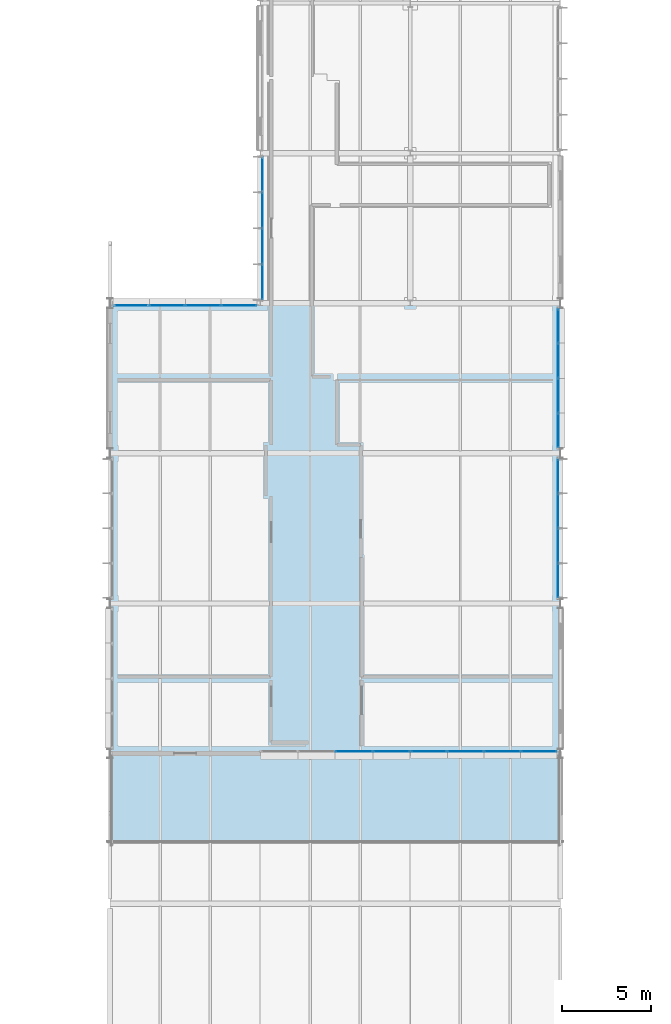
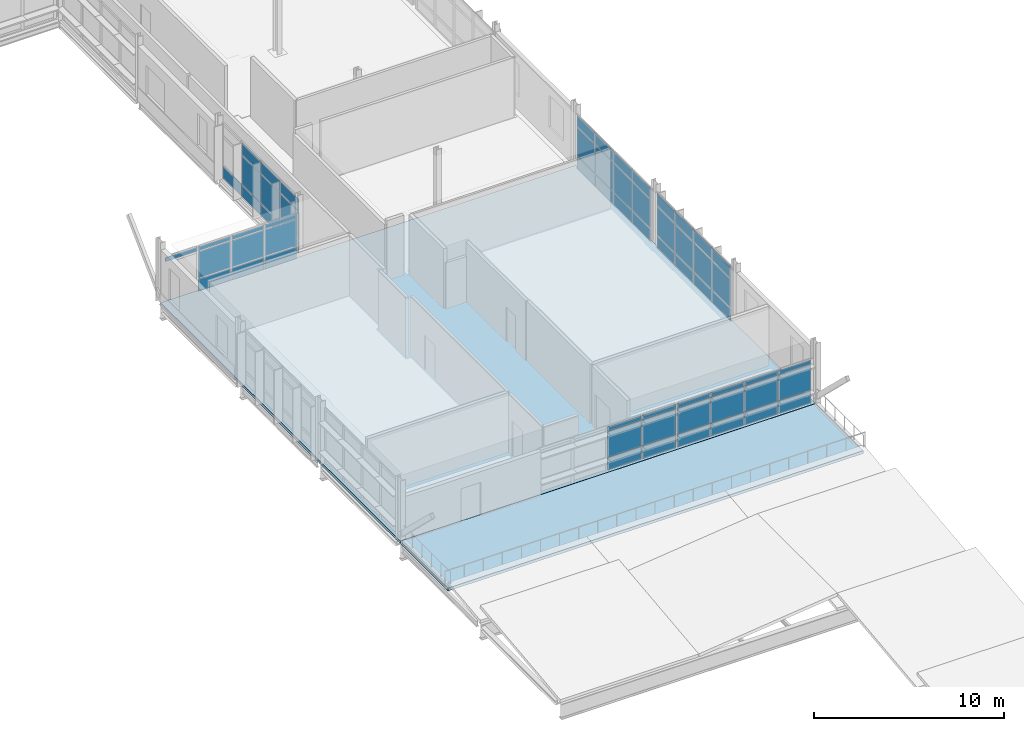
# One storey, part 76 of 103: 62 plates, 2 slabs, 6 elements without a shape of their own.
"""IFC4 building model written with IfcOpenShell, lengths in metres."""

from ifc_helpers import new_model, si_unit, direction, frame, origin, origin_2d, place, context, subcontext, project, spatial, polyline, rectangle, outline, extrude, material, layer, layer_set, type_object, element, aggregate, save


model = new_model("IFC4")

# Units and contexts
model_context = context("Model", 3, precision=1e-05, world=origin(), true_north=direction((0.0, 1.0)))
body_context = subcontext(model_context, "Body", "Model", "MODEL_VIEW")
ifc_project = project(units=[si_unit("LENGTHUNIT", "METRE"), si_unit("AREAUNIT", "SQUARE_METRE"), si_unit("VOLUMEUNIT", "CUBIC_METRE"), si_unit("PLANEANGLEUNIT", "RADIAN"), si_unit("MASSUNIT", "GRAM", prefix="KILO")], contexts=[model_context])

# Site, building, storey
site_placement = place(None, origin())
site = spatial("IfcSite", under=ifc_project, at=site_placement, CompositionType="ELEMENT")
building_placement = place(site_placement, origin())
building = spatial("IfcBuilding", under=site, at=building_placement, Name="Mersafa Astral City Hall", CompositionType="ELEMENT")
storey_placement = place(building_placement, frame((0.0, 0.0, 18.0)))
storey = spatial("IfcBuildingStorey", under=building, at=storey_placement, Name="L04", CompositionType="ELEMENT", Elevation=18.0)

# Curtain wall, plates
ifc_material_1 = material(Name="Anodised bronze aluminium framing", Category="aluminium")
curtain_wall_type_1 = type_object("IfcCurtainWallType", Name="ENV-CW-5", PredefinedType="USERDEFINED", material=ifc_material_1)
curtain_wall_1_placement = place(storey_placement, origin())
curtain_wall_1 = element("IfcCurtainWall", 1, at=curtain_wall_1_placement, inside=storey, type_object=curtain_wall_type_1, Name="L04 Unitised solar curtain wall 208", ObjectType="UNITISED CURTAIN WALL", PredefinedType="USERDEFINED")
ifc_material_2 = material(Name="Solar control low-e double glazing", Category="glass")
ifc_layer_1 = layer(ifc_material_2, 0.028076171875, Name="Solar control low-e double glazing")
ifc_layer_set_1 = layer_set([ifc_layer_1], Name="Solar control low-e double glazing — ENV-CW-PNL-GLZ-1")
plate_type_1 = type_object("IfcPlateType", Name="ENV-CW-PNL-GLZ-1", PredefinedType="CURTAIN_PANEL", material=ifc_layer_set_1)
plate_1_placement = place(storey_placement, frame((100.919921875, 99.613525390625, 0.05810546875), z_axis=(0.0, 0.0, 1.0), x_axis=(0.0, -1.0, 0.0)))
plate_1 = element("IfcPlate", 2, at=plate_1_placement, type_object=plate_type_1, Name="CW-5 panel 1.1", PredefinedType="CURTAIN_PANEL", context=body_context, shape_type="SweptSolid", body=[
    extrude(rectangle(XDim=1.928955078125, YDim=0.028076171875, at=origin_2d()), origin(), (0.0, 0.0, 1.0), 0.761962890625),
])
plate_2_placement = place(storey_placement, frame((100.919921875, 97.609619140625, 0.05810546875), z_axis=(0.0, 0.0, 1.0), x_axis=(0.0, -1.0, 0.0)))
plate_2 = element("IfcPlate", 3, at=plate_2_placement, type_object=plate_type_1, Name="CW-5 panel 2.1", PredefinedType="CURTAIN_PANEL", context=body_context, shape_type="SweptSolid", body=[
    extrude(rectangle(XDim=1.958984375, YDim=0.028076171875, at=origin_2d()), origin(), (0.0, 0.0, 1.0), 0.761962890625),
])
plate_3_placement = place(storey_placement, frame((100.919921875, 97.609619140625, 0.8798828125), z_axis=(0.0, 0.0, 1.0), x_axis=(0.0, -1.0, 0.0)))
plate_3 = element("IfcPlate", 4, at=plate_3_placement, type_object=plate_type_1, Name="CW-5 panel 2.2", PredefinedType="CURTAIN_PANEL", context=body_context, shape_type="SweptSolid", body=[
    extrude(rectangle(XDim=1.958984375, YDim=0.028076171875, at=origin_2d()), origin(), (0.0, 0.0, 1.0), 1.840087890625),
])
plate_4_placement = place(storey_placement, frame((100.919921875, 97.609619140625, 2.77978515625), z_axis=(0.0, 0.0, 1.0), x_axis=(0.0, -1.0, 0.0)))
plate_4 = element("IfcPlate", 5, at=plate_4_placement, type_object=plate_type_1, Name="CW-5 panel 2.3", PredefinedType="CURTAIN_PANEL", context=body_context, shape_type="SweptSolid", body=[
    extrude(rectangle(XDim=1.958984375, YDim=0.028076171875, at=origin_2d()), origin(), (0.0, 0.0, 1.0), 0.737060546875),
])
plate_5_placement = place(storey_placement, frame((100.919921875, 95.590576171875, 0.05810546875), z_axis=(0.0, 0.0, 1.0), x_axis=(0.0, -1.0, 0.0)))
plate_5 = element("IfcPlate", 6, at=plate_5_placement, type_object=plate_type_1, Name="CW-5 panel 3.1", PredefinedType="CURTAIN_PANEL", context=body_context, shape_type="SweptSolid", body=[
    extrude(rectangle(XDim=1.958984375, YDim=0.028076171875, at=origin_2d()), origin(), (0.0, 0.0, 1.0), 0.761962890625),
])
plate_6_placement = place(storey_placement, frame((100.919921875, 95.590576171875, 0.8798828125), z_axis=(0.0, 0.0, 1.0), x_axis=(0.0, -1.0, 0.0)))
plate_6 = element("IfcPlate", 7, at=plate_6_placement, type_object=plate_type_1, Name="CW-5 panel 3.2", PredefinedType="CURTAIN_PANEL", context=body_context, shape_type="SweptSolid", body=[
    extrude(rectangle(XDim=1.958984375, YDim=0.028076171875, at=origin_2d()), origin(), (0.0, 0.0, 1.0), 1.840087890625),
])
plate_7_placement = place(storey_placement, frame((100.919921875, 95.590576171875, 2.77978515625), z_axis=(0.0, 0.0, 1.0), x_axis=(0.0, -1.0, 0.0)))
plate_7 = element("IfcPlate", 8, at=plate_7_placement, type_object=plate_type_1, Name="CW-5 panel 3.3", PredefinedType="CURTAIN_PANEL", context=body_context, shape_type="SweptSolid", body=[
    extrude(rectangle(XDim=1.958984375, YDim=0.028076171875, at=origin_2d()), origin(), (0.0, 0.0, 1.0), 0.737060546875),
])
plate_8_placement = place(storey_placement, frame((100.919921875, 93.58642578125, 0.05810546875), z_axis=(0.0, 0.0, 1.0), x_axis=(0.0, -1.0, 0.0)))
plate_8 = element("IfcPlate", 9, at=plate_8_placement, type_object=plate_type_1, Name="CW-5 panel 4.1", PredefinedType="CURTAIN_PANEL", context=body_context, shape_type="SweptSolid", body=[
    extrude(rectangle(XDim=1.928955078125, YDim=0.028076171875, at=origin_2d()), origin(), (0.0, 0.0, 1.0), 0.761962890625),
])
plate_9_placement = place(storey_placement, frame((100.919921875, 93.58642578125, 0.8798828125), z_axis=(0.0, 0.0, 1.0), x_axis=(0.0, -1.0, 0.0)))
plate_9 = element("IfcPlate", 10, at=plate_9_placement, type_object=plate_type_1, Name="CW-5 panel 4.2", PredefinedType="CURTAIN_PANEL", context=body_context, shape_type="SweptSolid", body=[
    extrude(rectangle(XDim=1.928955078125, YDim=0.028076171875, at=origin_2d()), origin(), (0.0, 0.0, 1.0), 1.840087890625),
])
plate_10_placement = place(storey_placement, frame((100.919921875, 93.58642578125, 2.77978515625), z_axis=(0.0, 0.0, 1.0), x_axis=(0.0, -1.0, 0.0)))
plate_10 = element("IfcPlate", 11, at=plate_10_placement, type_object=plate_type_1, Name="CW-5 panel 4.3", PredefinedType="CURTAIN_PANEL", context=body_context, shape_type="SweptSolid", body=[
    extrude(rectangle(XDim=1.928955078125, YDim=0.028076171875, at=origin_2d()), origin(), (0.0, 0.0, 1.0), 0.737060546875),
])
aggregate(curtain_wall_1, [plate_1, plate_2, plate_3, plate_4, plate_5, plate_6, plate_7, plate_8, plate_9, plate_10])

curtain_wall_type_2 = type_object("IfcCurtainWallType", Name="ENV-CW-3", PredefinedType="USERDEFINED", material=ifc_material_1)
curtain_wall_2_placement = place(storey_placement, origin())
curtain_wall_2 = element("IfcCurtainWall", 12, at=curtain_wall_2_placement, inside=storey, type_object=curtain_wall_type_2, Name="L04 Unitised solar curtain wall 212", ObjectType="UNITISED CURTAIN WALL", PredefinedType="USERDEFINED")
plate_11_placement = place(storey_placement, frame((106.050048828125, 67.320068359375, 0.05810546875), z_axis=(0.0, 0.0, 1.0), x_axis=(1.0, 0.0, 0.0)))
plate_11 = element("IfcPlate", 13, at=plate_11_placement, type_object=plate_type_1, Name="CW-3 panel 3.1", PredefinedType="CURTAIN_PANEL", context=body_context, shape_type="SweptSolid", body=[
    extrude(rectangle(XDim=2.0400390625, YDim=0.028076171875, at=origin_2d()), origin(), (0.0, 0.0, 1.0), 0.761962890625),
])
plate_12_placement = place(storey_placement, frame((106.050048828125, 67.320068359375, 0.880126953125), z_axis=(0.0, 0.0, 1.0), x_axis=(1.0, 0.0, 0.0)))
plate_12 = element("IfcPlate", 14, at=plate_12_placement, type_object=plate_type_1, Name="CW-3 panel 3.2", PredefinedType="CURTAIN_PANEL", context=body_context, shape_type="SweptSolid", body=[
    extrude(rectangle(XDim=2.0400390625, YDim=0.028076171875, at=origin_2d()), origin(), (0.0, 0.0, 1.0), 1.60693359375),
])
plate_13_placement = place(storey_placement, frame((106.050048828125, 67.320068359375, 2.546875), z_axis=(0.0, 0.0, 1.0), x_axis=(1.0, 0.0, 0.0)))
plate_13 = element("IfcPlate", 15, at=plate_13_placement, type_object=plate_type_1, Name="CW-3 panel 3.3", PredefinedType="CURTAIN_PANEL", context=body_context, shape_type="SweptSolid", body=[
    extrude(rectangle(XDim=2.0400390625, YDim=0.028076171875, at=origin_2d()), origin(), (0.0, 0.0, 1.0), 0.260009765625),
])
plate_14_placement = place(storey_placement, frame((108.135009765625, 67.320068359375, 0.05810546875), z_axis=(0.0, 0.0, 1.0), x_axis=(1.0, 0.0, 0.0)))
plate_14 = element("IfcPlate", 16, at=plate_14_placement, type_object=plate_type_1, Name="CW-3 panel 4.1", PredefinedType="CURTAIN_PANEL", context=body_context, shape_type="SweptSolid", body=[
    extrude(rectangle(XDim=2.010009765625, YDim=0.028076171875, at=origin_2d()), origin(), (0.0, 0.0, 1.0), 0.761962890625),
])
plate_15_placement = place(storey_placement, frame((108.135009765625, 67.320068359375, 0.880126953125), z_axis=(0.0, 0.0, 1.0), x_axis=(1.0, 0.0, 0.0)))
plate_15 = element("IfcPlate", 17, at=plate_15_placement, type_object=plate_type_1, Name="CW-3 panel 4.2", PredefinedType="CURTAIN_PANEL", context=body_context, shape_type="SweptSolid", body=[
    extrude(rectangle(XDim=2.010009765625, YDim=0.028076171875, at=origin_2d()), origin(), (0.0, 0.0, 1.0), 1.60693359375),
])
plate_16_placement = place(storey_placement, frame((108.135009765625, 67.320068359375, 2.546875), z_axis=(0.0, 0.0, 1.0), x_axis=(1.0, 0.0, 0.0)))
plate_16 = element("IfcPlate", 18, at=plate_16_placement, type_object=plate_type_1, Name="CW-3 panel 4.3", PredefinedType="CURTAIN_PANEL", context=body_context, shape_type="SweptSolid", body=[
    extrude(rectangle(XDim=2.010009765625, YDim=0.028076171875, at=origin_2d()), origin(), (0.0, 0.0, 1.0), 0.260009765625),
])
aggregate(curtain_wall_2, [plate_11, plate_12, plate_13, plate_14, plate_15, plate_16])

curtain_wall_type_3 = type_object("IfcCurtainWallType", Name="ENV-CW-6", PredefinedType="USERDEFINED", material=ifc_material_1)
curtain_wall_3_placement = place(storey_placement, origin())
curtain_wall_3 = element("IfcCurtainWall", 19, at=curtain_wall_3_placement, inside=storey, type_object=curtain_wall_type_3, Name="L04 Unitised solar curtain wall 209", ObjectType="UNITISED CURTAIN WALL", PredefinedType="USERDEFINED")
ifc_layer_2 = layer(ifc_material_2, 0.031982421875, Name="Solar control low-e double glazing")
ifc_layer_set_2 = layer_set([ifc_layer_2], Name="Solar control low-e double glazing — ENV-CW-PNL-GLZ-2")
plate_type_2 = type_object("IfcPlateType", Name="ENV-CW-PNL-GLZ-2", PredefinedType="CURTAIN_PANEL", material=ifc_layer_set_2)
plate_17_placement = place(storey_placement, frame((99.613525390625, 92.280029296875, 0.05810546875), z_axis=(0.0, 0.0, 1.0), x_axis=(-1.0, 0.0, 0.0)))
plate_17 = element("IfcPlate", 20, at=plate_17_placement, type_object=plate_type_2, Name="CW-6 panel 1.1", PredefinedType="CURTAIN_PANEL", context=body_context, shape_type="SweptSolid", body=[
    extrude(rectangle(XDim=1.928955078125, YDim=0.031982421875, at=origin_2d()), origin(), (0.0, 0.0, 1.0), 0.761962890625),
])
plate_18_placement = place(storey_placement, frame((99.613525390625, 92.280029296875, 0.8798828125), z_axis=(0.0, 0.0, 1.0), x_axis=(-1.0, 0.0, 0.0)))
plate_18 = element("IfcPlate", 21, at=plate_18_placement, type_object=plate_type_2, Name="CW-6 panel 1.2", PredefinedType="CURTAIN_PANEL", context=body_context, shape_type="SweptSolid", body=[
    extrude(rectangle(XDim=1.928955078125, YDim=0.031982421875, at=origin_2d()), origin(), (0.0, 0.0, 1.0), 1.68701171875),
])
plate_19_placement = place(storey_placement, frame((99.613525390625, 92.280029296875, 2.626953125), z_axis=(0.0, 0.0, 1.0), x_axis=(-1.0, 0.0, 0.0)))
plate_19 = element("IfcPlate", 22, at=plate_19_placement, type_object=plate_type_2, Name="CW-6 panel 1.3", PredefinedType="CURTAIN_PANEL", context=body_context, shape_type="SweptSolid", body=[
    extrude(rectangle(XDim=1.928955078125, YDim=0.031982421875, at=origin_2d()), origin(), (0.0, 0.0, 1.0), 0.260009765625),
])
plate_20_placement = place(storey_placement, frame((97.609619140625, 92.280029296875, 0.05810546875), z_axis=(0.0, 0.0, 1.0), x_axis=(-1.0, 0.0, 0.0)))
plate_20 = element("IfcPlate", 23, at=plate_20_placement, type_object=plate_type_2, Name="CW-6 panel 2.1", PredefinedType="CURTAIN_PANEL", context=body_context, shape_type="SweptSolid", body=[
    extrude(rectangle(XDim=1.958984375, YDim=0.031982421875, at=origin_2d()), origin(), (0.0, 0.0, 1.0), 0.761962890625),
])
plate_21_placement = place(storey_placement, frame((97.609619140625, 92.280029296875, 0.8798828125), z_axis=(0.0, 0.0, 1.0), x_axis=(-1.0, 0.0, 0.0)))
plate_21 = element("IfcPlate", 24, at=plate_21_placement, type_object=plate_type_2, Name="CW-6 panel 2.2", PredefinedType="CURTAIN_PANEL", context=body_context, shape_type="SweptSolid", body=[
    extrude(rectangle(XDim=1.958984375, YDim=0.031982421875, at=origin_2d()), origin(), (0.0, 0.0, 1.0), 1.68701171875),
])
plate_22_placement = place(storey_placement, frame((97.609619140625, 92.280029296875, 2.626953125), z_axis=(0.0, 0.0, 1.0), x_axis=(-1.0, 0.0, 0.0)))
plate_22 = element("IfcPlate", 25, at=plate_22_placement, type_object=plate_type_2, Name="CW-6 panel 2.3", PredefinedType="CURTAIN_PANEL", context=body_context, shape_type="SweptSolid", body=[
    extrude(rectangle(XDim=1.958984375, YDim=0.031982421875, at=origin_2d()), origin(), (0.0, 0.0, 1.0), 0.260009765625),
])
plate_23_placement = place(storey_placement, frame((95.590576171875, 92.280029296875, 0.05810546875), z_axis=(0.0, 0.0, 1.0), x_axis=(-1.0, 0.0, 0.0)))
plate_23 = element("IfcPlate", 26, at=plate_23_placement, type_object=plate_type_2, Name="CW-6 panel 3.1", PredefinedType="CURTAIN_PANEL", context=body_context, shape_type="SweptSolid", body=[
    extrude(rectangle(XDim=1.958984375, YDim=0.031982421875, at=origin_2d()), origin(), (0.0, 0.0, 1.0), 0.761962890625),
])
plate_24_placement = place(storey_placement, frame((95.590576171875, 92.280029296875, 0.8798828125), z_axis=(0.0, 0.0, 1.0), x_axis=(-1.0, 0.0, 0.0)))
plate_24 = element("IfcPlate", 27, at=plate_24_placement, type_object=plate_type_2, Name="CW-6 panel 3.2", PredefinedType="CURTAIN_PANEL", context=body_context, shape_type="SweptSolid", body=[
    extrude(rectangle(XDim=1.958984375, YDim=0.031982421875, at=origin_2d()), origin(), (0.0, 0.0, 1.0), 1.68701171875),
])
plate_25_placement = place(storey_placement, frame((95.590576171875, 92.280029296875, 2.626953125), z_axis=(0.0, 0.0, 1.0), x_axis=(-1.0, 0.0, 0.0)))
plate_25 = element("IfcPlate", 28, at=plate_25_placement, type_object=plate_type_2, Name="CW-6 panel 3.3", PredefinedType="CURTAIN_PANEL", context=body_context, shape_type="SweptSolid", body=[
    extrude(rectangle(XDim=1.958984375, YDim=0.031982421875, at=origin_2d()), origin(), (0.0, 0.0, 1.0), 0.260009765625),
])
plate_26_placement = place(storey_placement, frame((93.58642578125, 92.280029296875, 2.626953125), z_axis=(0.0, 0.0, 1.0), x_axis=(-1.0, 0.0, 0.0)))
plate_26 = element("IfcPlate", 29, at=plate_26_placement, type_object=plate_type_2, Name="CW-6 panel 4.3", PredefinedType="CURTAIN_PANEL", context=body_context, shape_type="SweptSolid", body=[
    extrude(rectangle(XDim=1.928955078125, YDim=0.031982421875, at=origin_2d()), origin(), (0.0, 0.0, 1.0), 0.260009765625),
])
aggregate(curtain_wall_3, [plate_17, plate_18, plate_19, plate_20, plate_21, plate_22, plate_23, plate_24, plate_25, plate_26])

curtain_wall_type_4 = type_object("IfcCurtainWallType", Name="ENV-CW-4", PredefinedType="USERDEFINED", material=ifc_material_1)
curtain_wall_4_placement = place(storey_placement, origin())
curtain_wall_4 = element("IfcCurtainWall", 30, at=curtain_wall_4_placement, inside=storey, type_object=curtain_wall_type_4, Name="L04 Unitised solar curtain wall 213", ObjectType="UNITISED CURTAIN WALL", PredefinedType="USERDEFINED")
plate_27_placement = place(storey_placement, frame((110.24462890625, 67.320068359375, 0.05810546875), z_axis=(0.0, 0.0, 1.0), x_axis=(1.0, 0.0, 0.0)))
plate_27 = element("IfcPlate", 31, at=plate_27_placement, type_object=plate_type_2, Name="CW-4 panel 1.1", PredefinedType="CURTAIN_PANEL", context=body_context, shape_type="SweptSolid", body=[
    extrude(rectangle(XDim=1.969482421875, YDim=0.031982421875, at=origin_2d()), origin(), (0.0, 0.0, 1.0), 0.761962890625),
])
plate_28_placement = place(storey_placement, frame((110.24462890625, 67.320068359375, 0.880126953125), z_axis=(0.0, 0.0, 1.0), x_axis=(1.0, 0.0, 0.0)))
plate_28 = element("IfcPlate", 32, at=plate_28_placement, type_object=plate_type_2, Name="CW-4 panel 1.2", PredefinedType="CURTAIN_PANEL", context=body_context, shape_type="SweptSolid", body=[
    extrude(rectangle(XDim=1.969482421875, YDim=0.031982421875, at=origin_2d()), origin(), (0.0, 0.0, 1.0), 1.60693359375),
])
plate_29_placement = place(storey_placement, frame((110.24462890625, 67.320068359375, 2.546875), z_axis=(0.0, 0.0, 1.0), x_axis=(1.0, 0.0, 0.0)))
plate_29 = element("IfcPlate", 33, at=plate_29_placement, type_object=plate_type_2, Name="CW-4 panel 1.3", PredefinedType="CURTAIN_PANEL", context=body_context, shape_type="SweptSolid", body=[
    extrude(rectangle(XDim=1.969482421875, YDim=0.031982421875, at=origin_2d()), origin(), (0.0, 0.0, 1.0), 0.260009765625),
])
plate_30_placement = place(storey_placement, frame((112.289306640625, 67.320068359375, 0.05810546875), z_axis=(0.0, 0.0, 1.0), x_axis=(1.0, 0.0, 0.0)))
plate_30 = element("IfcPlate", 34, at=plate_30_placement, type_object=plate_type_2, Name="CW-4 panel 2.1", PredefinedType="CURTAIN_PANEL", context=body_context, shape_type="SweptSolid", body=[
    extrude(rectangle(XDim=1.99951171875, YDim=0.031982421875, at=origin_2d()), origin(), (0.0, 0.0, 1.0), 0.761962890625),
])
plate_31_placement = place(storey_placement, frame((112.289306640625, 67.320068359375, 0.880126953125), z_axis=(0.0, 0.0, 1.0), x_axis=(1.0, 0.0, 0.0)))
plate_31 = element("IfcPlate", 35, at=plate_31_placement, type_object=plate_type_2, Name="CW-4 panel 2.2", PredefinedType="CURTAIN_PANEL", context=body_context, shape_type="SweptSolid", body=[
    extrude(rectangle(XDim=1.99951171875, YDim=0.031982421875, at=origin_2d()), origin(), (0.0, 0.0, 1.0), 1.60693359375),
])
plate_32_placement = place(storey_placement, frame((112.289306640625, 67.320068359375, 2.546875), z_axis=(0.0, 0.0, 1.0), x_axis=(1.0, 0.0, 0.0)))
plate_32 = element("IfcPlate", 36, at=plate_32_placement, type_object=plate_type_2, Name="CW-4 panel 2.3", PredefinedType="CURTAIN_PANEL", context=body_context, shape_type="SweptSolid", body=[
    extrude(rectangle(XDim=1.99951171875, YDim=0.031982421875, at=origin_2d()), origin(), (0.0, 0.0, 1.0), 0.260009765625),
])
plate_33_placement = place(storey_placement, frame((114.3486328125, 67.320068359375, 0.05810546875), z_axis=(0.0, 0.0, 1.0), x_axis=(1.0, 0.0, 0.0)))
plate_33 = element("IfcPlate", 37, at=plate_33_placement, type_object=plate_type_2, Name="CW-4 panel 3.1", PredefinedType="CURTAIN_PANEL", context=body_context, shape_type="SweptSolid", body=[
    extrude(rectangle(XDim=1.99951171875, YDim=0.031982421875, at=origin_2d()), origin(), (0.0, 0.0, 1.0), 0.761962890625),
])
plate_34_placement = place(storey_placement, frame((114.3486328125, 67.320068359375, 0.880126953125), z_axis=(0.0, 0.0, 1.0), x_axis=(1.0, 0.0, 0.0)))
plate_34 = element("IfcPlate", 38, at=plate_34_placement, type_object=plate_type_2, Name="CW-4 panel 3.2", PredefinedType="CURTAIN_PANEL", context=body_context, shape_type="SweptSolid", body=[
    extrude(rectangle(XDim=1.99951171875, YDim=0.031982421875, at=origin_2d()), origin(), (0.0, 0.0, 1.0), 1.60693359375),
])
plate_35_placement = place(storey_placement, frame((114.3486328125, 67.320068359375, 2.546875), z_axis=(0.0, 0.0, 1.0), x_axis=(1.0, 0.0, 0.0)))
plate_35 = element("IfcPlate", 39, at=plate_35_placement, type_object=plate_type_2, Name="CW-4 panel 3.3", PredefinedType="CURTAIN_PANEL", context=body_context, shape_type="SweptSolid", body=[
    extrude(rectangle(XDim=1.99951171875, YDim=0.031982421875, at=origin_2d()), origin(), (0.0, 0.0, 1.0), 0.260009765625),
])
plate_36_placement = place(storey_placement, frame((116.393310546875, 67.320068359375, 0.05810546875), z_axis=(0.0, 0.0, 1.0), x_axis=(1.0, 0.0, 0.0)))
plate_36 = element("IfcPlate", 40, at=plate_36_placement, type_object=plate_type_2, Name="CW-4 panel 4.1", PredefinedType="CURTAIN_PANEL", context=body_context, shape_type="SweptSolid", body=[
    extrude(rectangle(XDim=1.969482421875, YDim=0.031982421875, at=origin_2d()), origin(), (0.0, 0.0, 1.0), 0.761962890625),
])
plate_37_placement = place(storey_placement, frame((116.393310546875, 67.320068359375, 0.880126953125), z_axis=(0.0, 0.0, 1.0), x_axis=(1.0, 0.0, 0.0)))
plate_37 = element("IfcPlate", 41, at=plate_37_placement, type_object=plate_type_2, Name="CW-4 panel 4.2", PredefinedType="CURTAIN_PANEL", context=body_context, shape_type="SweptSolid", body=[
    extrude(rectangle(XDim=1.969482421875, YDim=0.031982421875, at=origin_2d()), origin(), (0.0, 0.0, 1.0), 1.60693359375),
])
plate_38_placement = place(storey_placement, frame((116.393310546875, 67.320068359375, 2.546875), z_axis=(0.0, 0.0, 1.0), x_axis=(1.0, 0.0, 0.0)))
plate_38 = element("IfcPlate", 42, at=plate_38_placement, type_object=plate_type_2, Name="CW-4 panel 4.3", PredefinedType="CURTAIN_PANEL", context=body_context, shape_type="SweptSolid", body=[
    extrude(rectangle(XDim=1.969482421875, YDim=0.031982421875, at=origin_2d()), origin(), (0.0, 0.0, 1.0), 0.260009765625),
])
aggregate(curtain_wall_4, [plate_27, plate_28, plate_29, plate_30, plate_31, plate_32, plate_33, plate_34, plate_35, plate_36, plate_37, plate_38])

curtain_wall_5_placement = place(storey_placement, origin())
curtain_wall_5 = element("IfcCurtainWall", 43, at=curtain_wall_5_placement, inside=storey, type_object=curtain_wall_type_1, Name="L04 Unitised solar curtain wall 214", ObjectType="UNITISED CURTAIN WALL", PredefinedType="USERDEFINED")
ifc_layer_3 = layer(ifc_material_2, 0.035888671875, Name="Solar control low-e double glazing")
ifc_layer_set_3 = layer_set([ifc_layer_3], Name="Solar control low-e double glazing — ENV-CW-PNL-GLZ-3")
plate_type_3 = type_object("IfcPlateType", Name="ENV-CW-PNL-GLZ-3", PredefinedType="CURTAIN_PANEL", material=ifc_layer_set_3)
plate_39_placement = place(storey_placement, frame((117.47998046875, 76.88037109375, 0.05810546875), z_axis=(0.0, 0.0, 1.0), x_axis=(0.0, 1.0, 0.0)))
plate_39 = element("IfcPlate", 44, at=plate_39_placement, type_object=plate_type_3, Name="CW-5 panel 1.1", PredefinedType="CURTAIN_PANEL", context=body_context, shape_type="SweptSolid", body=[
    extrude(rectangle(XDim=1.866455078125, YDim=0.035888671875, at=origin_2d()), origin(), (0.0, 0.0, 1.0), 0.761962890625),
])
plate_40_placement = place(storey_placement, frame((117.47998046875, 76.88037109375, 0.8798828125), z_axis=(0.0, 0.0, 1.0), x_axis=(0.0, 1.0, 0.0)))
plate_40 = element("IfcPlate", 45, at=plate_40_placement, type_object=plate_type_3, Name="CW-5 panel 1.2", PredefinedType="CURTAIN_PANEL", context=body_context, shape_type="SweptSolid", body=[
    extrude(rectangle(XDim=1.866455078125, YDim=0.035888671875, at=origin_2d()), origin(), (0.0, 0.0, 1.0), 1.840087890625),
])
plate_41_placement = place(storey_placement, frame((117.47998046875, 76.88037109375, 2.77978515625), z_axis=(0.0, 0.0, 1.0), x_axis=(0.0, 1.0, 0.0)))
plate_41 = element("IfcPlate", 46, at=plate_41_placement, type_object=plate_type_3, Name="CW-5 panel 1.3", PredefinedType="CURTAIN_PANEL", context=body_context, shape_type="SweptSolid", body=[
    extrude(rectangle(XDim=1.866455078125, YDim=0.035888671875, at=origin_2d()), origin(), (0.0, 0.0, 1.0), 0.757080078125),
])
plate_42_placement = place(storey_placement, frame((117.47998046875, 78.82177734375, 0.05810546875), z_axis=(0.0, 0.0, 1.0), x_axis=(0.0, 1.0, 0.0)))
plate_42 = element("IfcPlate", 47, at=plate_42_placement, type_object=plate_type_3, Name="CW-5 panel 2.1", PredefinedType="CURTAIN_PANEL", context=body_context, shape_type="SweptSolid", body=[
    extrude(rectangle(XDim=1.896484375, YDim=0.035888671875, at=origin_2d()), origin(), (0.0, 0.0, 1.0), 0.761962890625),
])
plate_43_placement = place(storey_placement, frame((117.47998046875, 78.82177734375, 0.8798828125), z_axis=(0.0, 0.0, 1.0), x_axis=(0.0, 1.0, 0.0)))
plate_43 = element("IfcPlate", 48, at=plate_43_placement, type_object=plate_type_3, Name="CW-5 panel 2.2", PredefinedType="CURTAIN_PANEL", context=body_context, shape_type="SweptSolid", body=[
    extrude(rectangle(XDim=1.896484375, YDim=0.035888671875, at=origin_2d()), origin(), (0.0, 0.0, 1.0), 1.840087890625),
])
plate_44_placement = place(storey_placement, frame((117.47998046875, 78.82177734375, 2.77978515625), z_axis=(0.0, 0.0, 1.0), x_axis=(0.0, 1.0, 0.0)))
plate_44 = element("IfcPlate", 49, at=plate_44_placement, type_object=plate_type_3, Name="CW-5 panel 2.3", PredefinedType="CURTAIN_PANEL", context=body_context, shape_type="SweptSolid", body=[
    extrude(rectangle(XDim=1.896484375, YDim=0.035888671875, at=origin_2d()), origin(), (0.0, 0.0, 1.0), 0.757080078125),
])
plate_45_placement = place(storey_placement, frame((117.47998046875, 80.7783203125, 0.05810546875), z_axis=(0.0, 0.0, 1.0), x_axis=(0.0, 1.0, 0.0)))
plate_45 = element("IfcPlate", 50, at=plate_45_placement, type_object=plate_type_3, Name="CW-5 panel 3.1", PredefinedType="CURTAIN_PANEL", context=body_context, shape_type="SweptSolid", body=[
    extrude(rectangle(XDim=1.896484375, YDim=0.035888671875, at=origin_2d()), origin(), (0.0, 0.0, 1.0), 0.761962890625),
])
plate_46_placement = place(storey_placement, frame((117.47998046875, 80.7783203125, 0.8798828125), z_axis=(0.0, 0.0, 1.0), x_axis=(0.0, 1.0, 0.0)))
plate_46 = element("IfcPlate", 51, at=plate_46_placement, type_object=plate_type_3, Name="CW-5 panel 3.2", PredefinedType="CURTAIN_PANEL", context=body_context, shape_type="SweptSolid", body=[
    extrude(rectangle(XDim=1.896484375, YDim=0.035888671875, at=origin_2d()), origin(), (0.0, 0.0, 1.0), 1.840087890625),
])
plate_47_placement = place(storey_placement, frame((117.47998046875, 80.7783203125, 2.77978515625), z_axis=(0.0, 0.0, 1.0), x_axis=(0.0, 1.0, 0.0)))
plate_47 = element("IfcPlate", 52, at=plate_47_placement, type_object=plate_type_3, Name="CW-5 panel 3.3", PredefinedType="CURTAIN_PANEL", context=body_context, shape_type="SweptSolid", body=[
    extrude(rectangle(XDim=1.896484375, YDim=0.035888671875, at=origin_2d()), origin(), (0.0, 0.0, 1.0), 0.757080078125),
])
plate_48_placement = place(storey_placement, frame((117.47998046875, 82.7197265625, 0.05810546875), z_axis=(0.0, 0.0, 1.0), x_axis=(0.0, 1.0, 0.0)))
plate_48 = element("IfcPlate", 53, at=plate_48_placement, type_object=plate_type_3, Name="CW-5 panel 4.1", PredefinedType="CURTAIN_PANEL", context=body_context, shape_type="SweptSolid", body=[
    extrude(rectangle(XDim=1.866455078125, YDim=0.035888671875, at=origin_2d()), origin(), (0.0, 0.0, 1.0), 0.761962890625),
])
plate_49_placement = place(storey_placement, frame((117.47998046875, 82.7197265625, 0.8798828125), z_axis=(0.0, 0.0, 1.0), x_axis=(0.0, 1.0, 0.0)))
plate_49 = element("IfcPlate", 54, at=plate_49_placement, type_object=plate_type_3, Name="CW-5 panel 4.2", PredefinedType="CURTAIN_PANEL", context=body_context, shape_type="SweptSolid", body=[
    extrude(rectangle(XDim=1.866455078125, YDim=0.035888671875, at=origin_2d()), origin(), (0.0, 0.0, 1.0), 1.840087890625),
])
plate_50_placement = place(storey_placement, frame((117.47998046875, 82.7197265625, 2.77978515625), z_axis=(0.0, 0.0, 1.0), x_axis=(0.0, 1.0, 0.0)))
plate_50 = element("IfcPlate", 55, at=plate_50_placement, type_object=plate_type_3, Name="CW-5 panel 4.3", PredefinedType="CURTAIN_PANEL", context=body_context, shape_type="SweptSolid", body=[
    extrude(rectangle(XDim=1.866455078125, YDim=0.035888671875, at=origin_2d()), origin(), (0.0, 0.0, 1.0), 0.757080078125),
])
aggregate(curtain_wall_5, [plate_39, plate_40, plate_41, plate_42, plate_43, plate_44, plate_45, plate_46, plate_47, plate_48, plate_49, plate_50])

curtain_wall_6_placement = place(storey_placement, origin())
curtain_wall_6 = element("IfcCurtainWall", 56, at=curtain_wall_6_placement, inside=storey, type_object=curtain_wall_type_3, Name="L04 Unitised solar curtain wall 215", ObjectType="UNITISED CURTAIN WALL", PredefinedType="USERDEFINED")
ifc_layer_4 = layer(ifc_material_2, 0.0400390625, Name="Solar control low-e double glazing")
ifc_layer_set_4 = layer_set([ifc_layer_4], Name="Solar control low-e double glazing — ENV-CW-PNL-GLZ-4")
plate_type_4 = type_object("IfcPlateType", Name="ENV-CW-PNL-GLZ-4", PredefinedType="CURTAIN_PANEL", material=ifc_layer_set_4)
plate_51_placement = place(storey_placement, frame((117.47998046875, 85.2802734375, 0.05810546875), z_axis=(0.0, 0.0, 1.0), x_axis=(0.0, 1.0, 0.0)))
plate_51 = element("IfcPlate", 57, at=plate_51_placement, type_object=plate_type_4, Name="CW-6 panel 1.1", PredefinedType="CURTAIN_PANEL", context=body_context, shape_type="SweptSolid", body=[
    extrude(rectangle(XDim=1.866455078125, YDim=0.0400390625, at=origin_2d()), origin(), (0.0, 0.0, 1.0), 0.761962890625),
])
plate_52_placement = place(storey_placement, frame((117.47998046875, 85.2802734375, 0.8798828125), z_axis=(0.0, 0.0, 1.0), x_axis=(0.0, 1.0, 0.0)))
plate_52 = element("IfcPlate", 58, at=plate_52_placement, type_object=plate_type_4, Name="CW-6 panel 1.2", PredefinedType="CURTAIN_PANEL", context=body_context, shape_type="SweptSolid", body=[
    extrude(rectangle(XDim=1.866455078125, YDim=0.0400390625, at=origin_2d()), origin(), (0.0, 0.0, 1.0), 1.840087890625),
])
plate_53_placement = place(storey_placement, frame((117.47998046875, 85.2802734375, 2.780029296875), z_axis=(0.0, 0.0, 1.0), x_axis=(0.0, 1.0, 0.0)))
plate_53 = element("IfcPlate", 59, at=plate_53_placement, type_object=plate_type_4, Name="CW-6 panel 1.3", PredefinedType="CURTAIN_PANEL", context=body_context, shape_type="SweptSolid", body=[
    extrude(rectangle(XDim=1.866455078125, YDim=0.0400390625, at=origin_2d()), origin(), (0.0, 0.0, 1.0), 0.6669921875),
])
plate_54_placement = place(storey_placement, frame((117.47998046875, 87.2216796875, 0.05810546875), z_axis=(0.0, 0.0, 1.0), x_axis=(0.0, 1.0, 0.0)))
plate_54 = element("IfcPlate", 60, at=plate_54_placement, type_object=plate_type_4, Name="CW-6 panel 2.1", PredefinedType="CURTAIN_PANEL", context=body_context, shape_type="SweptSolid", body=[
    extrude(rectangle(XDim=1.896484375, YDim=0.0400390625, at=origin_2d()), origin(), (0.0, 0.0, 1.0), 0.761962890625),
])
plate_55_placement = place(storey_placement, frame((117.47998046875, 87.2216796875, 0.8798828125), z_axis=(0.0, 0.0, 1.0), x_axis=(0.0, 1.0, 0.0)))
plate_55 = element("IfcPlate", 61, at=plate_55_placement, type_object=plate_type_4, Name="CW-6 panel 2.2", PredefinedType="CURTAIN_PANEL", context=body_context, shape_type="SweptSolid", body=[
    extrude(rectangle(XDim=1.896484375, YDim=0.0400390625, at=origin_2d()), origin(), (0.0, 0.0, 1.0), 1.840087890625),
])
plate_56_placement = place(storey_placement, frame((117.47998046875, 87.2216796875, 2.780029296875), z_axis=(0.0, 0.0, 1.0), x_axis=(0.0, 1.0, 0.0)))
plate_56 = element("IfcPlate", 62, at=plate_56_placement, type_object=plate_type_4, Name="CW-6 panel 2.3", PredefinedType="CURTAIN_PANEL", context=body_context, shape_type="SweptSolid", body=[
    extrude(rectangle(XDim=1.896484375, YDim=0.0400390625, at=origin_2d()), origin(), (0.0, 0.0, 1.0), 0.6669921875),
])
plate_57_placement = place(storey_placement, frame((117.47998046875, 89.17822265625, 0.05810546875), z_axis=(0.0, 0.0, 1.0), x_axis=(0.0, 1.0, 0.0)))
plate_57 = element("IfcPlate", 63, at=plate_57_placement, type_object=plate_type_4, Name="CW-6 panel 3.1", PredefinedType="CURTAIN_PANEL", context=body_context, shape_type="SweptSolid", body=[
    extrude(rectangle(XDim=1.896484375, YDim=0.0400390625, at=origin_2d()), origin(), (0.0, 0.0, 1.0), 0.761962890625),
])
plate_58_placement = place(storey_placement, frame((117.47998046875, 89.17822265625, 0.8798828125), z_axis=(0.0, 0.0, 1.0), x_axis=(0.0, 1.0, 0.0)))
plate_58 = element("IfcPlate", 64, at=plate_58_placement, type_object=plate_type_4, Name="CW-6 panel 3.2", PredefinedType="CURTAIN_PANEL", context=body_context, shape_type="SweptSolid", body=[
    extrude(rectangle(XDim=1.896484375, YDim=0.0400390625, at=origin_2d()), origin(), (0.0, 0.0, 1.0), 1.840087890625),
])
plate_59_placement = place(storey_placement, frame((117.47998046875, 89.17822265625, 2.780029296875), z_axis=(0.0, 0.0, 1.0), x_axis=(0.0, 1.0, 0.0)))
plate_59 = element("IfcPlate", 65, at=plate_59_placement, type_object=plate_type_4, Name="CW-6 panel 3.3", PredefinedType="CURTAIN_PANEL", context=body_context, shape_type="SweptSolid", body=[
    extrude(rectangle(XDim=1.896484375, YDim=0.0400390625, at=origin_2d()), origin(), (0.0, 0.0, 1.0), 0.6669921875),
])
plate_60_placement = place(storey_placement, frame((117.47998046875, 91.11962890625, 0.05810546875), z_axis=(0.0, 0.0, 1.0), x_axis=(0.0, 1.0, 0.0)))
plate_60 = element("IfcPlate", 66, at=plate_60_placement, type_object=plate_type_4, Name="CW-6 panel 4.1", PredefinedType="CURTAIN_PANEL", context=body_context, shape_type="SweptSolid", body=[
    extrude(rectangle(XDim=1.866455078125, YDim=0.0400390625, at=origin_2d()), origin(), (0.0, 0.0, 1.0), 0.761962890625),
])
plate_61_placement = place(storey_placement, frame((117.47998046875, 91.11962890625, 0.8798828125), z_axis=(0.0, 0.0, 1.0), x_axis=(0.0, 1.0, 0.0)))
plate_61 = element("IfcPlate", 67, at=plate_61_placement, type_object=plate_type_4, Name="CW-6 panel 4.2", PredefinedType="CURTAIN_PANEL", context=body_context, shape_type="SweptSolid", body=[
    extrude(rectangle(XDim=1.866455078125, YDim=0.0400390625, at=origin_2d()), origin(), (0.0, 0.0, 1.0), 1.840087890625),
])
plate_62_placement = place(storey_placement, frame((117.47998046875, 91.11962890625, 2.780029296875), z_axis=(0.0, 0.0, 1.0), x_axis=(0.0, 1.0, 0.0)))
plate_62 = element("IfcPlate", 68, at=plate_62_placement, type_object=plate_type_4, Name="CW-6 panel 4.3", PredefinedType="CURTAIN_PANEL", context=body_context, shape_type="SweptSolid", body=[
    extrude(rectangle(XDim=1.866455078125, YDim=0.0400390625, at=origin_2d()), origin(), (0.0, 0.0, 1.0), 0.6669921875),
])
aggregate(curtain_wall_6, [plate_51, plate_52, plate_53, plate_54, plate_55, plate_56, plate_57, plate_58, plate_59, plate_60, plate_61, plate_62])

# Slabs
ifc_material_3 = material(Name="Concrete C35/45", Category="concrete")
ifc_layer_5 = layer(ifc_material_3, 0.18505859375, Name="Concrete C35/45")
ifc_layer_set_5 = layer_set([ifc_layer_5], Name="Concrete C35/45 — STR-SLAB-FLR-185")
slab_type_1 = type_object("IfcSlabType", Name="STR-SLAB-FLR-185", PredefinedType="FLOOR", material=ifc_layer_set_5)
slab_1_placement = place(storey_placement, frame((0.0, 0.0, -0.18505859375)))
element("IfcSlab", 69, at=slab_1_placement, inside=storey, type_object=slab_type_1, Name="L04 V2 structural floor slab 1", PredefinedType="FLOOR", context=body_context, shape_type="SweptSolid", body=[
    extrude(outline(polyline([(92.39990234375, 92.39990234375), (100.800048828125, 92.39990234375), (109.199951171875, 92.39990234375), (117.60009765625, 92.39990234375), (117.60009765625, 84.0), (117.60009765625, 75.60009765625), (117.60009765625, 67.199951171875), (109.199951171875, 67.199951171875), (100.800048828125, 67.199951171875), (92.39990234375, 67.199951171875), (92.39990234375, 75.60009765625), (92.39990234375, 84.0), (92.39990234375, 92.39990234375)])), origin(), (0.0, 0.0, 1.0), 0.18505859375),
])
ifc_layer_6 = layer(ifc_material_3, 0.18505859375, Name="Concrete C35/45")
ifc_layer_set_6 = layer_set([ifc_layer_6], Name="Concrete C35/45 — STR-SLAB-TER-185")
slab_type_2 = type_object("IfcSlabType", Name="STR-SLAB-TER-185", PredefinedType="FLOOR", material=ifc_layer_set_6)
slab_2_placement = place(storey_placement, frame((0.0, 0.0, -0.18505859375)))
element("IfcSlab", 70, at=slab_2_placement, inside=storey, type_object=slab_type_2, Name="L04 Stepped outdoor civic terrace slab TER-L04-V2S", PredefinedType="FLOOR", context=body_context, shape_type="SweptSolid", body=[
    extrude(outline(polyline([(117.60009765625, 62.199951171875), (92.39990234375, 62.199951171875), (92.39990234375, 67.19189453125), (117.60009765625, 67.19189453125), (117.60009765625, 62.199951171875)])), origin(), (0.0, 0.0, 1.0), 0.18505859375),
])

save(model, "model.ifc")
